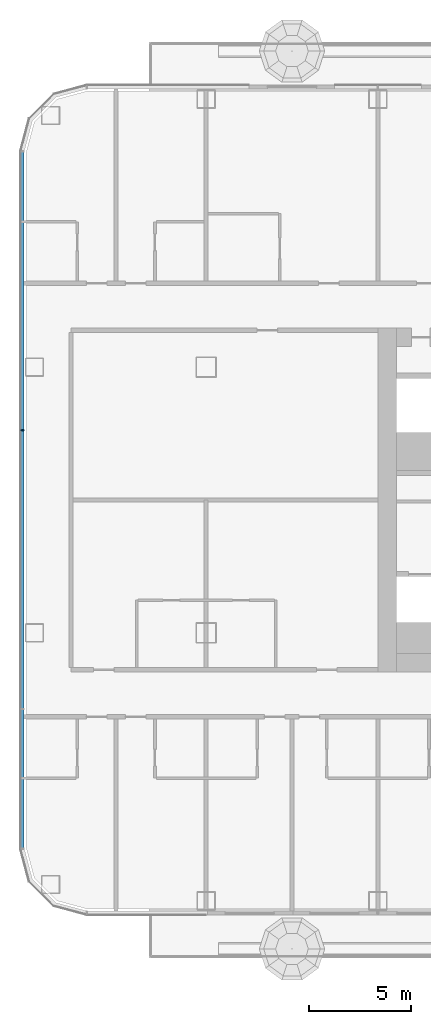
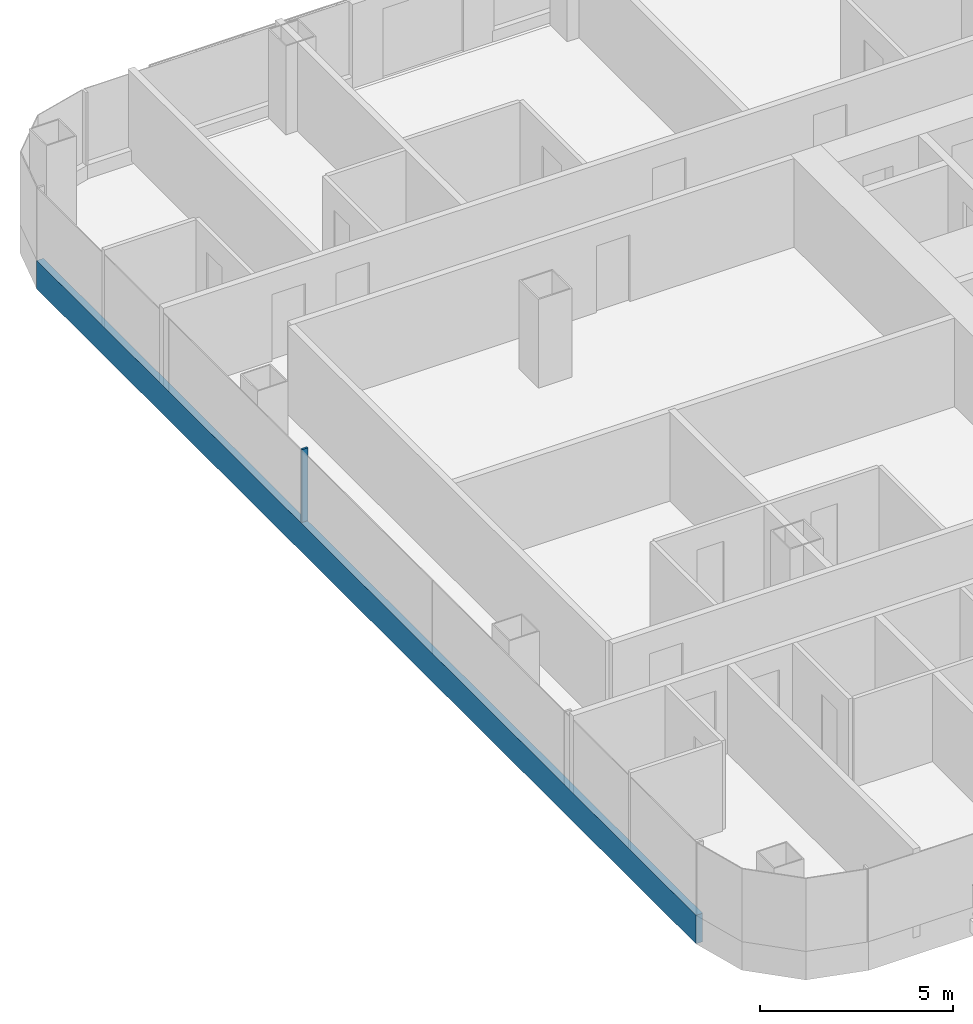
# One storey, part 3 of 37: 2 members, 1 element without a shape of its own.
"""IFC4 building model written with IfcOpenShell, lengths in metres."""

from ifc_helpers import new_model, si_unit, direction, frame, origin, origin_2d, place, context, subcontext, project, spatial, rectangle, extrude, material, layer, layer_set, material_profile, profile_set, type_object, element, aggregate, save


model = new_model("IFC4")

# Units and contexts
model_context = context("Model", 3, precision=1e-05, world=origin(), true_north=direction((0.0, 1.0)))
body_context = subcontext(model_context, "Body", "Model", "MODEL_VIEW")
ifc_project = project(units=[si_unit("LENGTHUNIT", "METRE"), si_unit("AREAUNIT", "SQUARE_METRE"), si_unit("VOLUMEUNIT", "CUBIC_METRE"), si_unit("PLANEANGLEUNIT", "RADIAN"), si_unit("MASSUNIT", "GRAM", prefix="KILO")], contexts=[model_context])

# Site, building, storey
site_placement = place(None, origin())
site = spatial("IfcSite", under=ifc_project, at=site_placement, CompositionType="ELEMENT")
building_placement = place(site_placement, origin())
building = spatial("IfcBuilding", under=site, at=building_placement, Name="Hakoniwa Tower and Hamabe Station Hall", CompositionType="ELEMENT")
storey_placement = place(building_placement, frame((0.0, 0.0, 39.0)))
storey = spatial("IfcBuildingStorey", under=building, at=storey_placement, Name="L10", CompositionType="ELEMENT", Elevation=39.0)

# Curtain wall, members
ifc_material_1 = material(Name="Dark low-e laminated glass", Category="glass")
ifc_layer = layer(ifc_material_1, 0.199951171875)
ifc_layer_set = layer_set([ifc_layer], Name="CW-1 UNITISED GUEST")
curtain_wall_type = type_object("IfcCurtainWallType", Name="CW-1 UNITISED GUEST", PredefinedType="NOTDEFINED", material=ifc_layer_set)
curtain_wall_placement = place(storey_placement, origin())
curtain_wall = element("IfcCurtainWall", 1, at=curtain_wall_placement, inside=storey, type_object=curtain_wall_type, Name="CW-1 curtain wall", PredefinedType="NOTDEFINED")
ifc_material_2 = material(Name="Aluminium 6063-T5 black anodised", Category="aluminium")
ifc_material_profile_1 = material_profile(ifc_material_2, rectangle(XDim=0.199951171875, YDim=0.89990234375, at=origin_2d()), Name="CW SLAB-EDGE BAND 900X200")
ifc_profile_set_1 = profile_set([ifc_material_profile_1], Name="Aluminium 6063-T5 black anodised")
member_type_1 = type_object("IfcMemberType", Name="CW SLAB-EDGE BAND 900X200", PredefinedType="USERDEFINED", material=ifc_profile_set_1)
member_1_placement = place(storey_placement, frame((-51.0, 17.03955078125, -0.10009765625), z_axis=(0.0, -1.0, 0.0), x_axis=(1.0, 0.0, 0.0)))
member_1 = element("IfcMember", 2, at=member_1_placement, type_object=member_type_1, Name="CW-1 transom", ObjectType="TRANSOM", PredefinedType="USERDEFINED", context=body_context, shape_type="SweptSolid", body=[
    extrude(rectangle(XDim=0.199951171875, YDim=0.89990234375, at=origin_2d()), origin(), (0.0, 0.0, 1.0), 34.0791015625),
])
ifc_material_3 = material(Name="Aluminium 6063-T5 black anodised", Category="aluminium")
ifc_material_profile_2 = material_profile(ifc_material_3, rectangle(XDim=0.06005859375, YDim=0.179931640625, at=origin_2d()), Name="CW-1 MULLION 60X180")
ifc_profile_set_2 = profile_set([ifc_material_profile_2], Name="Aluminium 6063-T5 black anodised")
member_type_2 = type_object("IfcMemberType", Name="CW-1 MULLION 60X180", PredefinedType="MULLION", material=ifc_profile_set_2)
member_2_placement = place(storey_placement, frame((-50.98193359375, 3.407958984375, 0.35009765625), z_axis=(0.0, 0.0, 1.0), x_axis=(0.0, -1.0, 0.0)))
member_2 = element("IfcMember", 3, at=member_2_placement, type_object=member_type_2, Name="CW-1 mullion", PredefinedType="MULLION", context=body_context, shape_type="SweptSolid", body=[
    extrude(rectangle(XDim=0.06005859375, YDim=0.179931640625, at=origin_2d()), origin(), (0.0, 0.0, 1.0), 2.2998046875),
])
aggregate(curtain_wall, [member_2, member_1])

save(model, "model.ifc")
